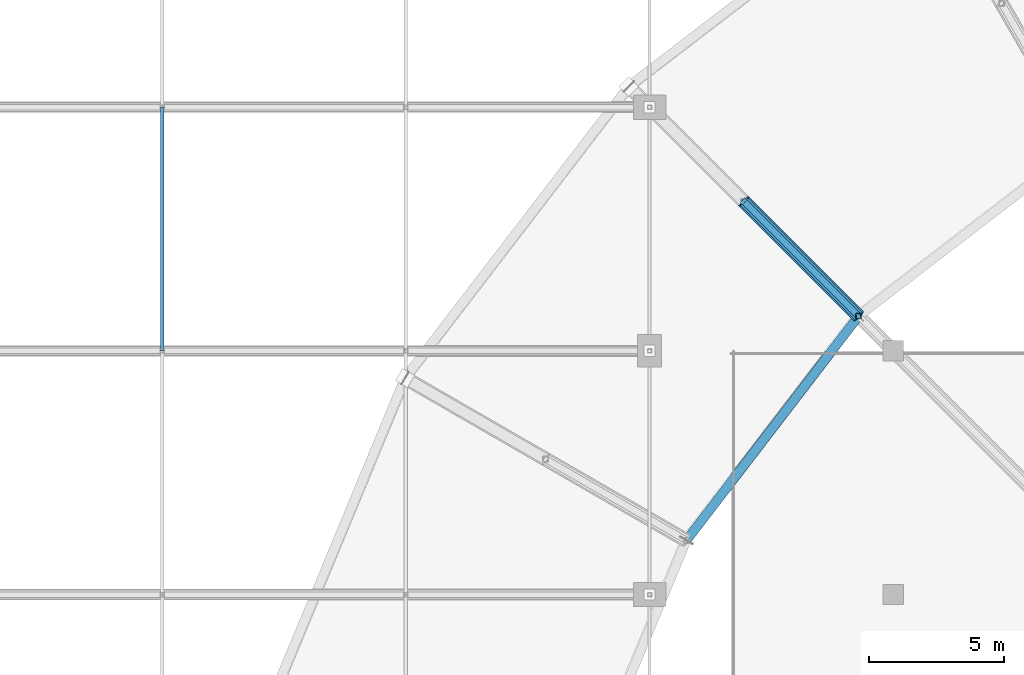
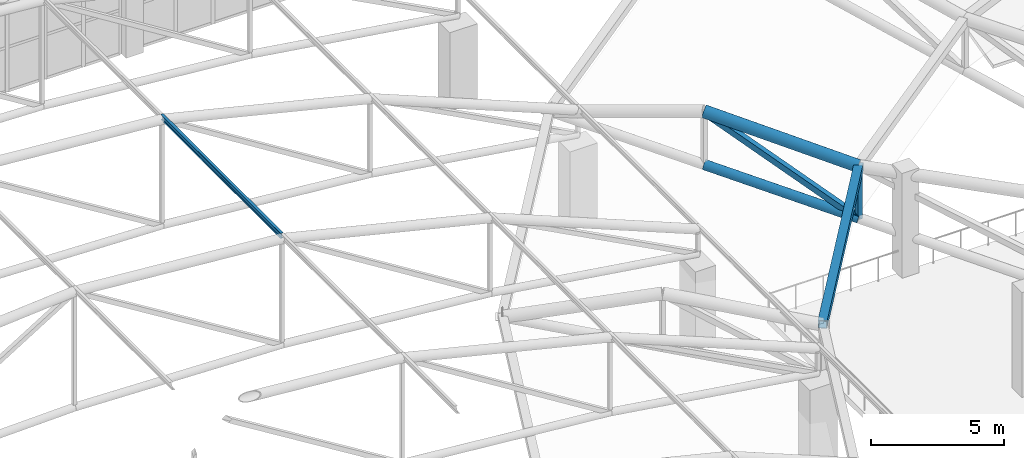
# One storey, part 61 of 167: 6 members.
"""IFC4 building model written with IfcOpenShell, lengths in metres."""

from ifc_helpers import new_model, si_unit, direction, frame, origin, origin_2d, place, context, subcontext, project, spatial, hollow_rectangle, hollow_circle, i_section, extrude, material, material_profile, profile_set, type_object, element, save


model = new_model("IFC4")

# Units and contexts
model_context = context("Model", 3, precision=1e-05, world=origin(), true_north=direction((0.0, 1.0)))
body_context = subcontext(model_context, "Body", "Model", "MODEL_VIEW")
ifc_project = project(units=[si_unit("LENGTHUNIT", "METRE"), si_unit("AREAUNIT", "SQUARE_METRE"), si_unit("VOLUMEUNIT", "CUBIC_METRE"), si_unit("PLANEANGLEUNIT", "RADIAN"), si_unit("MASSUNIT", "GRAM", prefix="KILO")], contexts=[model_context])

# Site, building, storey
site_placement = place(None, origin())
site = spatial("IfcSite", under=ifc_project, at=site_placement, CompositionType="ELEMENT")
building_placement = place(site_placement, origin())
building = spatial("IfcBuilding", under=site, at=building_placement, Name="Dornveld Trade and Exhibition Forum", CompositionType="ELEMENT")
storey_placement = place(building_placement, frame((0.0, 0.0, 16.800048828125)))
storey = spatial("IfcBuildingStorey", under=building, at=storey_placement, Name="L03", CompositionType="ELEMENT", Elevation=16.800048828125)

# Members
ifc_material_1 = material(Name="Steel S355J2", Category="steel")
ifc_material_profile_1 = material_profile(ifc_material_1, hollow_circle(Radius=0.203125, WallThickness=0.02001953125, at=origin_2d()), Name="CHS 406.4x20")
ifc_profile_set_1 = profile_set([ifc_material_profile_1], Name="Steel S355J2")
member_type_1 = type_object("IfcMemberType", Name="MEM-DISC-BC", PredefinedType="CHORD", material=ifc_profile_set_1)
member_1_placement = place(storey_placement, frame((88.7158203125, 109.2841796875, 2.07568359375), z_axis=(-0.689562451292, 0.689562451292, 0.221375815155), x_axis=(-0.707106781187, -0.707106781187, 0.0)))
element("IfcMember", 1, at=member_1_placement, inside=storey, type_object=member_type_1, Name="Roof disc radial R10 conical bottom chord 3", PredefinedType="CHORD", context=body_context, shape_type="SweptSolid", body=[
    extrude(hollow_circle(Radius=0.203125, WallThickness=0.02001953125, at=origin_2d()), origin(), (0.0, 0.0, 1.0), 6.152587890625),
])
ifc_material_2 = material(Name="Steel S355J2", Category="steel")
ifc_material_profile_2 = material_profile(ifc_material_2, hollow_rectangle(XDim=0.35009765625, YDim=0.35009765625, WallThickness=0.01611328125, at=origin_2d()), Name="SHS 350x350x16")
ifc_profile_set_2 = profile_set([ifc_material_profile_2], Name="Steel S355J2")
member_type_2 = type_object("IfcMemberType", Name="MEM-DISC-RING", PredefinedType="CHORD", material=ifc_profile_set_2)
member_2_placement = place(storey_placement, frame((88.7158203125, 109.2841796875, 4.449951171875), z_axis=(-0.608777037117, -0.793341363525, 0.0), x_axis=(0.793341363525, -0.608777037117, 0.0)))
element("IfcMember", 2, at=member_2_placement, inside=storey, type_object=member_type_2, Name="Roof disc ring 3 chord 10", PredefinedType="CHORD", context=body_context, shape_type="SweptSolid", body=[
    extrude(hollow_rectangle(XDim=0.35009765625, YDim=0.35009765625, WallThickness=0.01611328125, at=origin_2d()), origin(), (0.0, 0.0, 1.0), 10.442138671875),
])
ifc_material_3 = material(Name="Steel S355J2", Category="steel")
ifc_material_profile_3 = material_profile(ifc_material_3, hollow_rectangle(XDim=0.199951171875, YDim=0.199951171875, WallThickness=0.010009765625, at=origin_2d()), Name="SHS 200x200x10")
ifc_profile_set_3 = profile_set([ifc_material_profile_3], Name="Steel S355J2")
member_type_3 = type_object("IfcMemberType", Name="MEM-DISC-STR", PredefinedType="STRUT", material=ifc_profile_set_3)
member_3_placement = place(storey_placement, frame((88.7158203125, 109.2841796875, 2.07568359375), z_axis=(0.0, 0.0, 1.0), x_axis=(1.0, 0.0, 0.0)))
element("IfcMember", 3, at=member_3_placement, inside=storey, type_object=member_type_3, Name="Roof disc radial R10 strut 3", PredefinedType="STRUT", context=body_context, shape_type="SweptSolid", body=[
    extrude(hollow_rectangle(XDim=0.199951171875, YDim=0.199951171875, WallThickness=0.010009765625, at=origin_2d()), origin(), (0.0, 0.0, 1.0), 2.374267578125),
])
ifc_material_4 = material(Name="Steel S355J2", Category="steel")
ifc_material_profile_4 = material_profile(ifc_material_4, hollow_circle(Radius=0.25390625, WallThickness=0.02490234375, at=origin_2d()), Name="CHS 508x25")
ifc_profile_set_4 = profile_set([ifc_material_profile_4], Name="Steel S355J2")
member_type_4 = type_object("IfcMemberType", Name="MEM-DISC-TC", PredefinedType="CHORD", material=ifc_profile_set_4)
member_4_placement = place(storey_placement, frame((88.7158203125, 109.2841796875, 4.449951171875), z_axis=(-0.687969077833, 0.687969077833, 0.231078116429), x_axis=(-0.707106781187, -0.707106781187, 0.0)))
element("IfcMember", 4, at=member_4_placement, inside=storey, type_object=member_type_4, Name="Roof disc radial R10 top chord 3", PredefinedType="CHORD", context=body_context, shape_type="SweptSolid", body=[
    extrude(hollow_circle(Radius=0.25390625, WallThickness=0.02490234375, at=origin_2d()), origin(), (0.0, 0.0, 1.0), 6.1669921875),
])
ifc_material_5 = material(Name="Steel S355J2", Category="steel")
ifc_material_profile_5 = material_profile(ifc_material_5, hollow_rectangle(XDim=0.25, YDim=0.25, WallThickness=0.012451171875, at=origin_2d()), Name="SHS 250x250x12.5")
ifc_profile_set_5 = profile_set([ifc_material_profile_5], Name="Steel S355J2")
member_type_5 = type_object("IfcMemberType", Name="MEM-DISC-WEB", PredefinedType="BRACE", material=ifc_profile_set_5)
member_5_placement = place(storey_placement, frame((88.7158203125, 109.2841796875, 2.07568359375), z_axis=(-0.59740947601, 0.59740947601, 0.534980220145), x_axis=(-0.707106781187, -0.707106781187, 0.0)))
element("IfcMember", 5, at=member_5_placement, inside=storey, type_object=member_type_5, Name="Roof disc radial R10 web 3", PredefinedType="BRACE", context=body_context, shape_type="SweptSolid", body=[
    extrude(hollow_rectangle(XDim=0.25, YDim=0.25, WallThickness=0.012451171875, at=origin_2d()), origin(), (0.0, 0.0, 1.0), 7.101806640625),
])
ifc_material_6 = material(Name="Steel S355J2", Category="steel")
ifc_material_profile_6 = material_profile(ifc_material_6, i_section(OverallWidth=0.1201171875, OverallDepth=0.239990234375, WebThickness=0.006103515625, FlangeThickness=0.009765625, FilletRadius=0.014892578125, at=origin_2d()), Name="IPE 240")
ifc_profile_set_6 = profile_set([ifc_material_profile_6], Name="Steel S355J2")
member_type_6 = type_object("IfcMemberType", Name="MEM-PURLIN-240", PredefinedType="PURLIN", material=ifc_profile_set_6)
member_6_placement = place(storey_placement, frame((63.0, 108.0, 11.048583984375), z_axis=(0.0, 1.0, 0.0), x_axis=(-1.0, 0.0, 0.0)))
element("IfcMember", 6, at=member_6_placement, inside=storey, type_object=member_type_6, Name="H3 bay 9 roof purlin 5", PredefinedType="PURLIN", context=body_context, shape_type="SweptSolid", body=[
    extrude(i_section(OverallWidth=0.1201171875, OverallDepth=0.239990234375, WebThickness=0.006103515625, FlangeThickness=0.009765625, FilletRadius=0.014892578125, at=origin_2d()), origin(), (0.0, 0.0, 1.0), 9.0),
])

save(model, "model.ifc")
